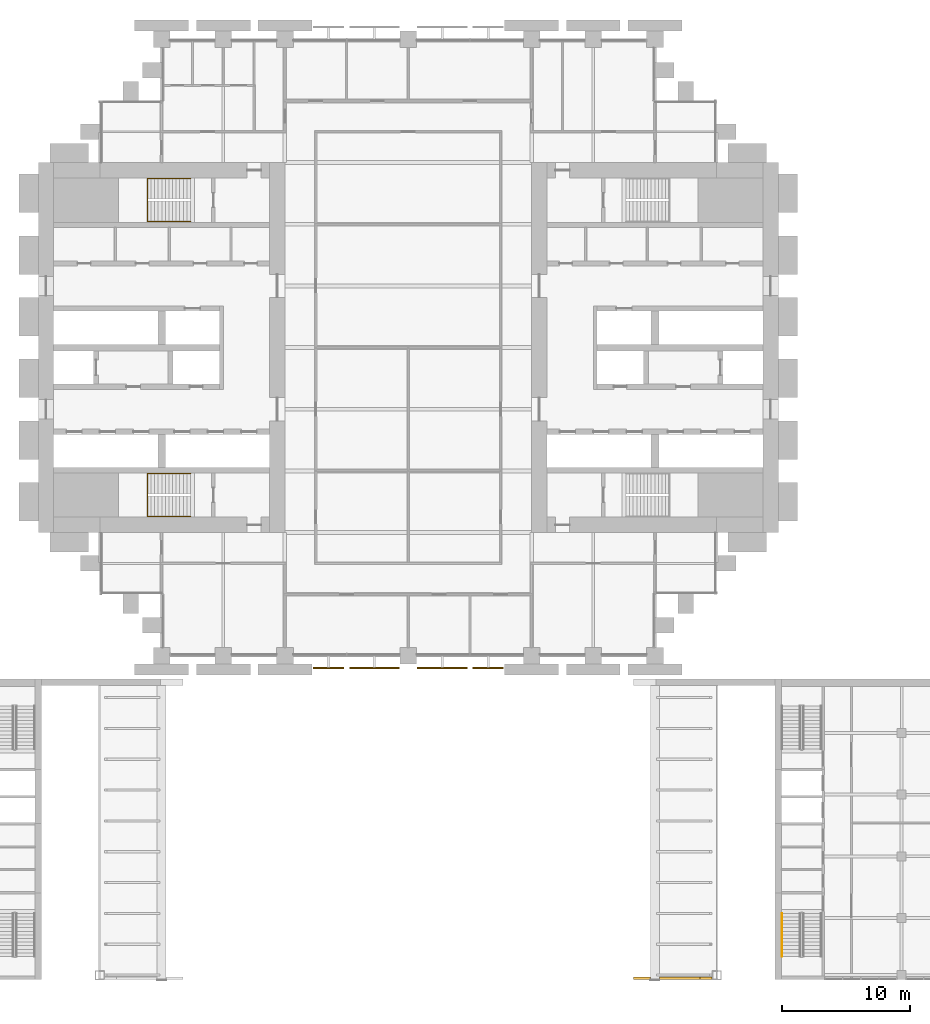
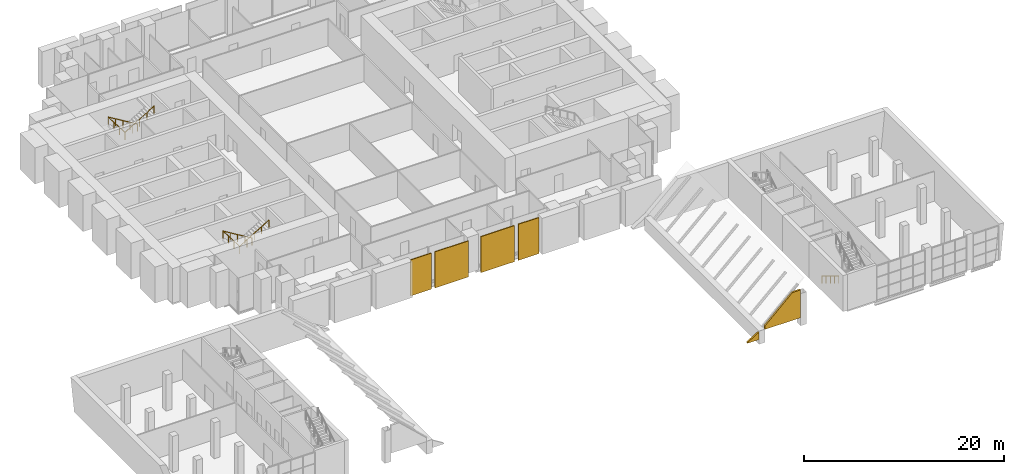
# One storey, part 28 of 30: 6 coverings, 3 railings.
"""IFC4 building model written with IfcOpenShell, lengths in metres."""

from ifc_helpers import new_model, si_unit, direction, frame, origin, origin_2d, place, context, subcontext, project, spatial, polyline, circle, outline, extrude, material, layer, layer_set, type_object, element, save


model = new_model("IFC4")

# Units and contexts
model_context = context("Model", 3, precision=1e-05, world=origin(), true_north=direction((0.0, 1.0)))
body_context = subcontext(model_context, "Body", "Model", "MODEL_VIEW")
ifc_project = project(units=[si_unit("LENGTHUNIT", "METRE"), si_unit("AREAUNIT", "SQUARE_METRE"), si_unit("VOLUMEUNIT", "CUBIC_METRE"), si_unit("PLANEANGLEUNIT", "RADIAN"), si_unit("MASSUNIT", "GRAM", prefix="KILO")], contexts=[model_context])

# Site, building, storey
site_placement = place(None, origin())
site = spatial("IfcSite", under=ifc_project, at=site_placement, CompositionType="ELEMENT")
building_placement = place(site_placement, origin())
building = spatial("IfcBuilding", under=site, at=building_placement, Name="Baori Bourse Tower", CompositionType="ELEMENT")
storey_placement = place(building_placement, frame((0.0, 0.0, 17.0)))
storey = spatial("IfcBuildingStorey", under=building, at=storey_placement, Name="L02", CompositionType="ELEMENT", Elevation=17.0)

# Railings
ifc_material_1 = material(Name="Powder-coated steel balustrade", Category="steel")
railing_type_1 = type_object("IfcRailingType", Name="Core stair handrail", PredefinedType="HANDRAIL", material=ifc_material_1)
railing_1_placement = place(storey_placement, frame((11.85009765625, 14.199951171875, 0.169189453125)))
element("IfcRailing", 1, at=railing_1_placement, inside=storey, type_object=railing_type_1, Name="L02 ST1 stair handrail 1", PredefinedType="HANDRAIL", context=body_context, shape_type="SweptSolid", body=[
    extrude(circle(Radius=0.02392578125, at=origin_2d()), frame((0.0, 0.0, 0.8759765625), z_axis=(-0.855836976705, 0.0, 0.517245656632), x_axis=(0.0, -1.0, 0.0)), (0.0, 0.0, 1.0), 3.926025390625),
    extrude(circle(Radius=0.02392578125, at=origin_2d()), frame((-3.360107421875, 0.0, 2.90673828125), z_axis=(0.0, -0.998726980575, 0.050442227064), x_axis=(1.0, 0.0, 0.0)), (0.0, 0.0, 1.0), 3.35400390625),
    extrude(circle(Radius=0.02392578125, at=origin_2d()), frame((-3.360107421875, -3.349853515625, 3.07568359375), z_axis=(0.855836976705, 0.0, 0.517245656632), x_axis=(0.0, 1.0, 0.0)), (0.0, 0.0, 1.0), 3.926025390625),
    extrude(circle(Radius=0.02099609375, at=origin_2d()), origin(), (0.0, 0.0, 1.0), 0.851806640625),
    extrude(circle(Radius=0.02099609375, at=origin_2d()), frame((-0.840087890625, 0.0, 0.5078125)), (0.0, 0.0, 1.0), 0.851806640625),
    extrude(circle(Radius=0.02099609375, at=origin_2d()), frame((-1.68017578125, 0.0, 1.015380859375)), (0.0, 0.0, 1.0), 0.851806640625),
    extrude(circle(Radius=0.02099609375, at=origin_2d()), frame((-2.52001953125, 0.0, 1.52294921875)), (0.0, 0.0, 1.0), 0.851806640625),
    extrude(circle(Radius=0.02099609375, at=origin_2d()), frame((-3.360107421875, 0.0, 2.03076171875)), (0.0, 0.0, 1.0), 0.851806640625),
    extrude(circle(Radius=0.02099609375, at=origin_2d()), frame((-3.360107421875, -1.11669921875, 2.087158203125)), (0.0, 0.0, 1.0), 0.851806640625),
    extrude(circle(Radius=0.02099609375, at=origin_2d()), frame((-3.360107421875, -2.233154296875, 2.1435546875)), (0.0, 0.0, 1.0), 0.851806640625),
    extrude(circle(Radius=0.02099609375, at=origin_2d()), frame((-3.360107421875, -3.349853515625, 2.199951171875)), (0.0, 0.0, 1.0), 0.851806640625),
    extrude(circle(Radius=0.02099609375, at=origin_2d()), frame((-2.52001953125, -3.349853515625, 2.70751953125)), (0.0, 0.0, 1.0), 0.851806640625),
    extrude(circle(Radius=0.02099609375, at=origin_2d()), frame((-1.68017578125, -3.349853515625, 3.21533203125)), (0.0, 0.0, 1.0), 0.851806640625),
    extrude(circle(Radius=0.02099609375, at=origin_2d()), frame((-0.840087890625, -3.349853515625, 3.72314453125)), (0.0, 0.0, 1.0), 0.851806640625),
    extrude(circle(Radius=0.02099609375, at=origin_2d()), frame((0.0, -3.349853515625, 4.230712890625)), (0.0, 0.0, 1.0), 0.851806640625),
])
railing_2_placement = place(storey_placement, frame((11.85009765625, 37.14990234375, 0.169189453125)))
element("IfcRailing", 2, at=railing_2_placement, inside=storey, type_object=railing_type_1, Name="L02 ST2 stair handrail 1", PredefinedType="HANDRAIL", context=body_context, shape_type="SweptSolid", body=[
    extrude(circle(Radius=0.02392578125, at=origin_2d()), frame((0.0, 0.0, 0.8759765625), z_axis=(-0.855836976705, 0.0, 0.517245656632), x_axis=(0.0, -1.0, 0.0)), (0.0, 0.0, 1.0), 3.926025390625),
    extrude(circle(Radius=0.02392578125, at=origin_2d()), frame((-3.360107421875, 0.0, 2.90673828125), z_axis=(0.0, -0.998726980575, 0.050442227064), x_axis=(1.0, 0.0, 0.0)), (0.0, 0.0, 1.0), 3.35400390625),
    extrude(circle(Radius=0.02392578125, at=origin_2d()), frame((-3.360107421875, -3.349853515625, 3.07568359375), z_axis=(0.855836976705, 0.0, 0.517245656632), x_axis=(0.0, 1.0, 0.0)), (0.0, 0.0, 1.0), 3.926025390625),
    extrude(circle(Radius=0.02099609375, at=origin_2d()), origin(), (0.0, 0.0, 1.0), 0.851806640625),
    extrude(circle(Radius=0.02099609375, at=origin_2d()), frame((-0.840087890625, 0.0, 0.5078125)), (0.0, 0.0, 1.0), 0.851806640625),
    extrude(circle(Radius=0.02099609375, at=origin_2d()), frame((-1.68017578125, 0.0, 1.015380859375)), (0.0, 0.0, 1.0), 0.851806640625),
    extrude(circle(Radius=0.02099609375, at=origin_2d()), frame((-2.52001953125, 0.0, 1.52294921875)), (0.0, 0.0, 1.0), 0.851806640625),
    extrude(circle(Radius=0.02099609375, at=origin_2d()), frame((-3.360107421875, 0.0, 2.03076171875)), (0.0, 0.0, 1.0), 0.851806640625),
    extrude(circle(Radius=0.02099609375, at=origin_2d()), frame((-3.360107421875, -1.11669921875, 2.087158203125)), (0.0, 0.0, 1.0), 0.851806640625),
    extrude(circle(Radius=0.02099609375, at=origin_2d()), frame((-3.360107421875, -2.233154296875, 2.1435546875)), (0.0, 0.0, 1.0), 0.851806640625),
    extrude(circle(Radius=0.02099609375, at=origin_2d()), frame((-3.360107421875, -3.349853515625, 2.199951171875)), (0.0, 0.0, 1.0), 0.851806640625),
    extrude(circle(Radius=0.02099609375, at=origin_2d()), frame((-2.52001953125, -3.349853515625, 2.70751953125)), (0.0, 0.0, 1.0), 0.851806640625),
    extrude(circle(Radius=0.02099609375, at=origin_2d()), frame((-1.68017578125, -3.349853515625, 3.21533203125)), (0.0, 0.0, 1.0), 0.851806640625),
    extrude(circle(Radius=0.02099609375, at=origin_2d()), frame((-0.840087890625, -3.349853515625, 3.72314453125)), (0.0, 0.0, 1.0), 0.851806640625),
    extrude(circle(Radius=0.02099609375, at=origin_2d()), frame((0.0, -3.349853515625, 4.230712890625)), (0.0, 0.0, 1.0), 0.851806640625),
])

# Coverings
ifc_material_2 = material(Name="Pale anodised aluminium", Category="aluminium")
ifc_layer_1 = layer(ifc_material_2, 0.199951171875)
ifc_layer_set_1 = layer_set([ifc_layer_1], Name="Fascia metal band 200")
covering_type_1 = type_object("IfcCoveringType", Name="Fascia metal band 200", PredefinedType="CLADDING", material=ifc_layer_set_1)
covering_1_placement = place(storey_placement, frame((46.336181640625, -25.10009765625, 0.0), z_axis=(0.0, 0.0, 1.0), x_axis=(1.0, 0.0, 0.0)))
element("IfcCovering", 3, at=covering_1_placement, inside=storey, type_object=covering_type_1, Name="wing/L02/fascia/003", PredefinedType="CLADDING", context=body_context, shape_type="SweptSolid", body=[
    extrude(outline(polyline([(0.0, 0.0), (1.313720703125, 0.0), (1.313720703125, 0.921630859375), (0.0, 0.10009765625), (0.0, 0.0)])), frame((0.0, 0.10009765625, 0.0), z_axis=(0.0, -1.0, 0.0), x_axis=(1.0, 0.0, 0.0)), (0.0, 0.0, 1.0), 0.199951171875),
])
covering_2_placement = place(storey_placement, frame((48.35009765625, -25.10009765625, 1.0), z_axis=(0.0, 0.0, 1.0), x_axis=(1.0, 0.0, 0.0)))
element("IfcCovering", 4, at=covering_2_placement, inside=storey, type_object=covering_type_1, Name="wing/L02/fascia/004", PredefinedType="CLADDING", context=body_context, shape_type="SweptSolid", body=[
    extrude(outline(polyline([(0.0, 0.0), (4.099853515625, 0.0), (4.10009765625, 3.39990234375), (3.169677734375, 3.39990234375), (0.0, 0.43896484375), (0.0, 0.0)])), frame((0.0, 0.10009765625, 0.0), z_axis=(0.0, -1.0, 0.0), x_axis=(1.0, 0.0, 0.0)), (0.0, 0.0, 1.0), 0.199951171875),
])
ifc_material_3 = material(Name="Pale anodised aluminium", Category="aluminium")
ifc_layer_2 = layer(ifc_material_3, 0.10009765625)
ifc_layer_set_2 = layer_set([ifc_layer_2], Name="OS3 Outer skin screen panel")
covering_type_2 = type_object("IfcCoveringType", Name="OS3 Outer skin screen panel", PredefinedType="CLADDING", material=ifc_layer_set_2)
covering_3_placement = place(storey_placement, frame((0.0, 0.0, -0.159912109375)))
element("IfcCovering", 5, at=covering_3_placement, inside=storey, type_object=covering_type_2, Name="Outer skin screen L02 5", PredefinedType="CLADDING", context=body_context, shape_type="SweptSolid", body=[
    extrude(outline(polyline([(23.77490234375, -0.89990234375), (21.39990234375, -0.89990234375), (21.39990234375, -1.0), (23.77490234375, -1.0), (23.77490234375, -0.89990234375)])), origin(), (0.0, 0.0, 1.0), 4.39990234375),
])
covering_4_placement = place(storey_placement, frame((0.0, 0.0, -0.159912109375)))
element("IfcCovering", 6, at=covering_4_placement, inside=storey, type_object=covering_type_2, Name="Outer skin screen L02 6", PredefinedType="CLADDING", context=body_context, shape_type="SweptSolid", body=[
    extrude(outline(polyline([(28.10009765625, -0.89990234375), (24.22509765625, -0.89990234375), (24.22509765625, -1.0), (28.10009765625, -1.0), (28.10009765625, -0.89990234375)])), origin(), (0.0, 0.0, 1.0), 4.39990234375),
])
covering_5_placement = place(storey_placement, frame((0.0, 0.0, -0.159912109375)))
element("IfcCovering", 7, at=covering_5_placement, inside=storey, type_object=covering_type_2, Name="Outer skin screen L02 7", PredefinedType="CLADDING", context=body_context, shape_type="SweptSolid", body=[
    extrude(outline(polyline([(33.375, -0.89990234375), (29.5, -0.89990234375), (29.5, -1.0), (33.375, -1.0), (33.375, -0.89990234375)])), origin(), (0.0, 0.0, 1.0), 4.39990234375),
])
covering_6_placement = place(storey_placement, frame((0.0, 0.0, -0.159912109375)))
element("IfcCovering", 8, at=covering_6_placement, inside=storey, type_object=covering_type_2, Name="Outer skin screen L02 8", PredefinedType="CLADDING", context=body_context, shape_type="SweptSolid", body=[
    extrude(outline(polyline([(36.199951171875, -0.89990234375), (33.824951171875, -0.89990234375), (33.824951171875, -1.0), (36.199951171875, -1.0), (36.199951171875, -0.89990234375)])), origin(), (0.0, 0.0, 1.0), 4.39990234375),
])

# Railing
ifc_material_4 = material(Name="Stainless steel AISI 316", Category="steel")
railing_type_2 = type_object("IfcRailingType", Name="Wing handrail 900", PredefinedType="HANDRAIL", material=ifc_material_4)
railing_3_placement = place(storey_placement, frame((57.89990234375, -20.0400390625, 0.169189453125)))
element("IfcRailing", 9, at=railing_3_placement, inside=storey, type_object=railing_type_2, Name="L02 E-STB stair handrail 1", PredefinedType="HANDRAIL", context=body_context, shape_type="SweptSolid", body=[
    extrude(circle(Radius=0.02392578125, at=origin_2d()), frame((0.0, 0.0, 0.8759765625), z_axis=(0.0, -0.855820338506, 0.51727318527), x_axis=(1.0, 0.0, 0.0)), (0.0, 0.0, 1.0), 3.92578125),
    extrude(circle(Radius=0.02099609375, at=origin_2d()), origin(), (0.0, 0.0, 1.0), 0.851806640625),
    extrude(circle(Radius=0.02099609375, at=origin_2d()), frame((0.0, -0.83984375, 0.5078125)), (0.0, 0.0, 1.0), 0.851806640625),
    extrude(circle(Radius=0.02099609375, at=origin_2d()), frame((0.0, -1.679931640625, 1.015380859375)), (0.0, 0.0, 1.0), 0.851806640625),
    extrude(circle(Radius=0.02099609375, at=origin_2d()), frame((0.0, -2.52001953125, 1.52294921875)), (0.0, 0.0, 1.0), 0.851806640625),
    extrude(circle(Radius=0.02099609375, at=origin_2d()), frame((0.0, -3.35986328125, 2.03076171875)), (0.0, 0.0, 1.0), 0.851806640625),
])

save(model, "model.ifc")
